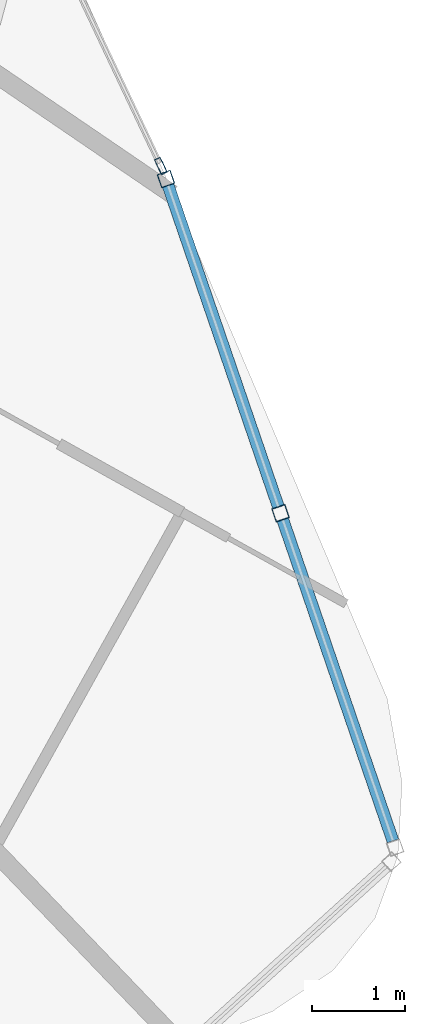
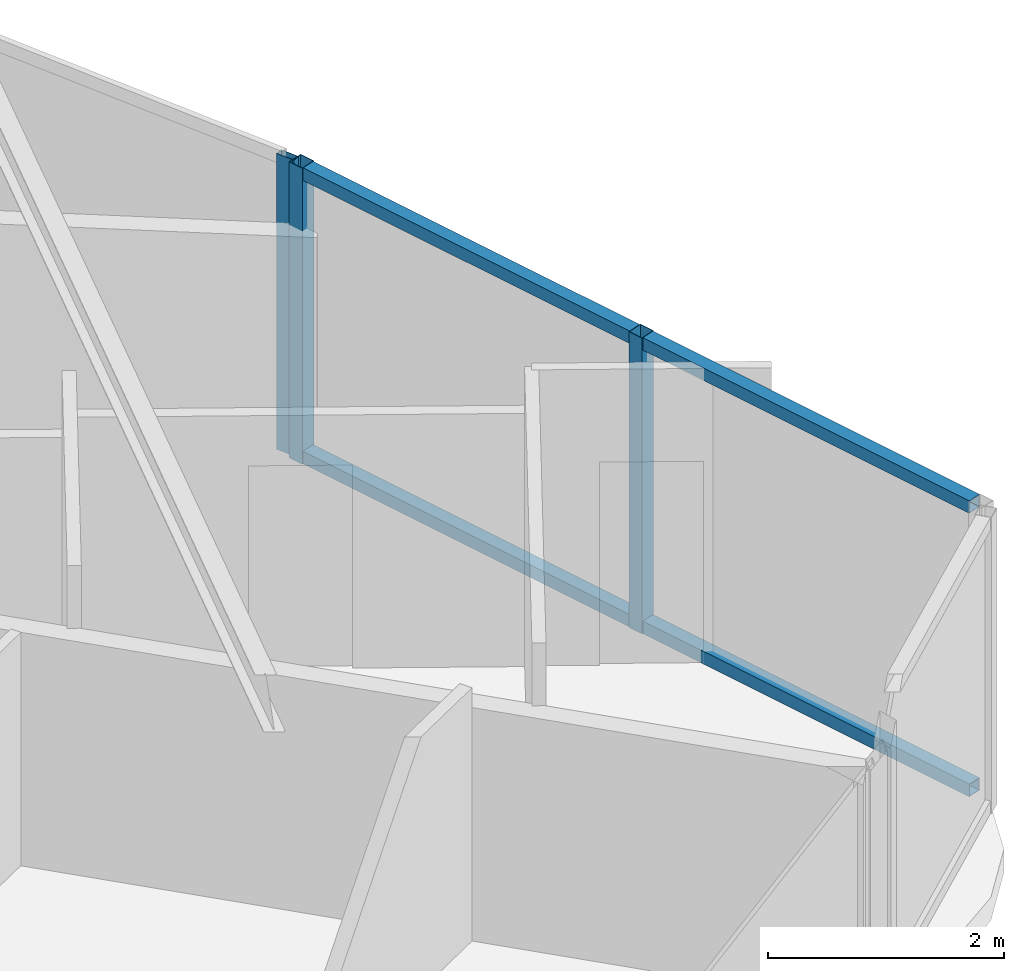
# One storey, part 16 of 34: 7 members, 2 elements without a shape of their own.
"""IFC4 building model written with IfcOpenShell, lengths in metres."""

from ifc_helpers import new_model, si_unit, direction, frame, origin, origin_2d, place, context, subcontext, project, spatial, hollow_rectangle, extrude, material, layer, layer_set, material_profile, profile_set, type_object, element, aggregate, save


model = new_model("IFC4")

# Units and contexts
model_context = context("Model", 3, precision=1e-05, world=origin(), true_north=direction((0.0, 1.0)))
body_context = subcontext(model_context, "Body", "Model", "MODEL_VIEW")
ifc_project = project(units=[si_unit("LENGTHUNIT", "METRE"), si_unit("AREAUNIT", "SQUARE_METRE"), si_unit("VOLUMEUNIT", "CUBIC_METRE"), si_unit("PLANEANGLEUNIT", "RADIAN"), si_unit("MASSUNIT", "GRAM", prefix="KILO")], contexts=[model_context])

# Site, building, storey
site_placement = place(None, origin())
site = spatial("IfcSite", under=ifc_project, at=site_placement, CompositionType="ELEMENT")
building_placement = place(site_placement, origin())
building = spatial("IfcBuilding", under=site, at=building_placement, Name="Orvanel Arch Residences", CompositionType="ELEMENT")
storey_placement = place(building_placement, frame((0.0, 0.0, 80.75)))
storey = spatial("IfcBuildingStorey", under=building, at=storey_placement, Name="L22", CompositionType="ELEMENT", Elevation=80.75)

# Curtain wall, members
ifc_material = material(Name="Bronze-anodised aluminium AA6063-T6", Category="aluminium")
ifc_layer_1 = layer(ifc_material, 0.18994140625)
ifc_layer_set_1 = layer_set([ifc_layer_1], Name="Bronze-anodised aluminium AA6063-T6")
curtain_wall_type_1 = type_object("IfcCurtainWallType", Name="CW5-CRN-SYS", PredefinedType="NOTDEFINED", material=ifc_layer_set_1)
curtain_wall_1_placement = place(storey_placement, origin())
curtain_wall_1 = element("IfcCurtainWall", 1, at=curtain_wall_1_placement, inside=storey, type_object=curtain_wall_type_1, Name="L22 CW5-CRN-SYS Unitised Curtain Wall", PredefinedType="NOTDEFINED")
ifc_material_profile_1 = material_profile(ifc_material, hollow_rectangle(XDim=0.14990234375, YDim=0.14990234375, WallThickness=0.0048828125, at=origin_2d()), Name="ALU150x150x5")
ifc_profile_set_1 = profile_set([ifc_material_profile_1], Name="Bronze-anodised aluminium AA6063-T6")
member_type_1 = type_object("IfcMemberType", Name="MUL-150x150", PredefinedType="MULLION", material=ifc_profile_set_1)
member_1_placement = place(storey_placement, frame((59.3359375, 9.900390625, 0.0), z_axis=(0.0, 0.0, 1.0), x_axis=(-0.945912167236, -0.324422828844, 0.0)))
member_1 = element("IfcMember", 2, at=member_1_placement, type_object=member_type_1, Name="CW-S5 mullion 2", PredefinedType="MULLION", context=body_context, shape_type="SweptSolid", body=[
    extrude(hollow_rectangle(XDim=0.14990234375, YDim=0.14990234375, WallThickness=0.0048828125, at=origin_2d()), origin(), (0.0, 0.0, 1.0), 3.06005859375),
])
member_2_placement = place(storey_placement, frame((58.097412109375, 13.511962890625, 0.0), z_axis=(0.0, 0.0, 1.0), x_axis=(-0.945912167236, -0.324422828844, 0.0)))
member_2 = element("IfcMember", 3, at=member_2_placement, type_object=member_type_1, Name="CW-S5 mullion 3", PredefinedType="MULLION", context=body_context, shape_type="SweptSolid", body=[
    extrude(hollow_rectangle(XDim=0.14990234375, YDim=0.14990234375, WallThickness=0.0048828125, at=origin_2d()), origin(), (0.0, 0.0, 1.0), 3.06005859375),
])

# Curtain wall, member
ifc_layer_2 = layer(ifc_material, 0.179931640625)
ifc_layer_set_2 = layer_set([ifc_layer_2], Name="Bronze-anodised aluminium AA6063-T6")
curtain_wall_type_2 = type_object("IfcCurtainWallType", Name="CW2-LOW-SYS", PredefinedType="NOTDEFINED", material=ifc_layer_set_2)
curtain_wall_2_placement = place(storey_placement, origin())
curtain_wall_2 = element("IfcCurtainWall", 4, at=curtain_wall_2_placement, inside=storey, type_object=curtain_wall_type_2, Name="L22 CW2-LOW-SYS Unitised Curtain Wall", PredefinedType="NOTDEFINED")
ifc_material_profile_2 = material_profile(ifc_material, hollow_rectangle(XDim=0.070068359375, YDim=0.179931640625, WallThickness=0.00439453125, at=origin_2d()), Name="ALU180x70x4.5")
ifc_profile_set_2 = profile_set([ifc_material_profile_2], Name="Bronze-anodised aluminium AA6063-T6")
member_type_2 = type_object("IfcMemberType", Name="MUL-180x70", PredefinedType="MULLION", material=ifc_profile_set_2)
member_3_placement = place(storey_placement, frame((58.04296875, 13.651611328125, 0.0), z_axis=(0.0, 0.0, 1.0), x_axis=(-0.903971140213, -0.427593472426, 0.0)))
member_3 = element("IfcMember", 5, at=member_3_placement, type_object=member_type_2, Name="CW-S2 mullion 1", PredefinedType="MULLION", context=body_context, shape_type="SweptSolid", body=[
    extrude(hollow_rectangle(XDim=0.070068359375, YDim=0.179931640625, WallThickness=0.00439453125, at=origin_2d()), origin(), (0.0, 0.0, 1.0), 3.06005859375),
])
aggregate(curtain_wall_2, [member_3])

# Member
ifc_material_profile_3 = material_profile(ifc_material, hollow_rectangle(XDim=0.1298828125, YDim=0.1298828125, WallThickness=0.00439453125, at=origin_2d()), Name="ALU130x130x4.5")
ifc_profile_set_3 = profile_set([ifc_material_profile_3], Name="Bronze-anodised aluminium AA6063-T6")
member_type_3 = type_object("IfcMemberType", Name="TRN-130x130", PredefinedType="USERDEFINED", material=ifc_profile_set_3)
member_4_placement = place(storey_placement, frame((60.55029296875, 6.35986328125, 0.06494140625), z_axis=(-0.324402597881, 0.945919105679, 0.0), x_axis=(-0.945919105679, -0.324402597881, 0.0)))
member_4 = element("IfcMember", 6, at=member_4_placement, type_object=member_type_3, Name="CW-S5 transom 1.1", ObjectType="TRANSOM", PredefinedType="USERDEFINED", context=body_context, shape_type="SweptSolid", body=[
    extrude(hollow_rectangle(XDim=0.1298828125, YDim=0.1298828125, WallThickness=0.00439453125, at=origin_2d()), origin(), (0.0, 0.0, 1.0), 3.668212890625),
])

member_5_placement = place(storey_placement, frame((60.55029296875, 6.35986328125, 2.9951171875), z_axis=(-0.324402597881, 0.945919105679, 0.0), x_axis=(-0.945919105679, -0.324402597881, 0.0)))
member_5 = element("IfcMember", 7, at=member_5_placement, type_object=member_type_3, Name="CW-S5 transom 1.2", ObjectType="TRANSOM", PredefinedType="USERDEFINED", context=body_context, shape_type="SweptSolid", body=[
    extrude(hollow_rectangle(XDim=0.1298828125, YDim=0.1298828125, WallThickness=0.00439453125, at=origin_2d()), origin(), (0.0, 0.0, 1.0), 3.668212890625),
])

member_6_placement = place(storey_placement, frame((59.311767578125, 9.971435546875, 0.06494140625), z_axis=(-0.324462149384, 0.945898680418, 0.0), x_axis=(-0.945898680418, -0.324462149384, 0.0)))
member_6 = element("IfcMember", 8, at=member_6_placement, type_object=member_type_3, Name="CW-S5 transom 2.1", ObjectType="TRANSOM", PredefinedType="USERDEFINED", context=body_context, shape_type="SweptSolid", body=[
    extrude(hollow_rectangle(XDim=0.1298828125, YDim=0.1298828125, WallThickness=0.00439453125, at=origin_2d()), origin(), (0.0, 0.0, 1.0), 3.668212890625),
])

member_7_placement = place(storey_placement, frame((59.311767578125, 9.971435546875, 2.9951171875), z_axis=(-0.324462149384, 0.945898680418, 0.0), x_axis=(-0.945898680418, -0.324462149384, 0.0)))
member_7 = element("IfcMember", 9, at=member_7_placement, type_object=member_type_3, Name="CW-S5 transom 2.2", ObjectType="TRANSOM", PredefinedType="USERDEFINED", context=body_context, shape_type="SweptSolid", body=[
    extrude(hollow_rectangle(XDim=0.1298828125, YDim=0.1298828125, WallThickness=0.00439453125, at=origin_2d()), origin(), (0.0, 0.0, 1.0), 3.668212890625),
])

aggregate(curtain_wall_1, [member_1, member_2, member_4, member_5, member_6, member_7])

save(model, "model.ifc")
